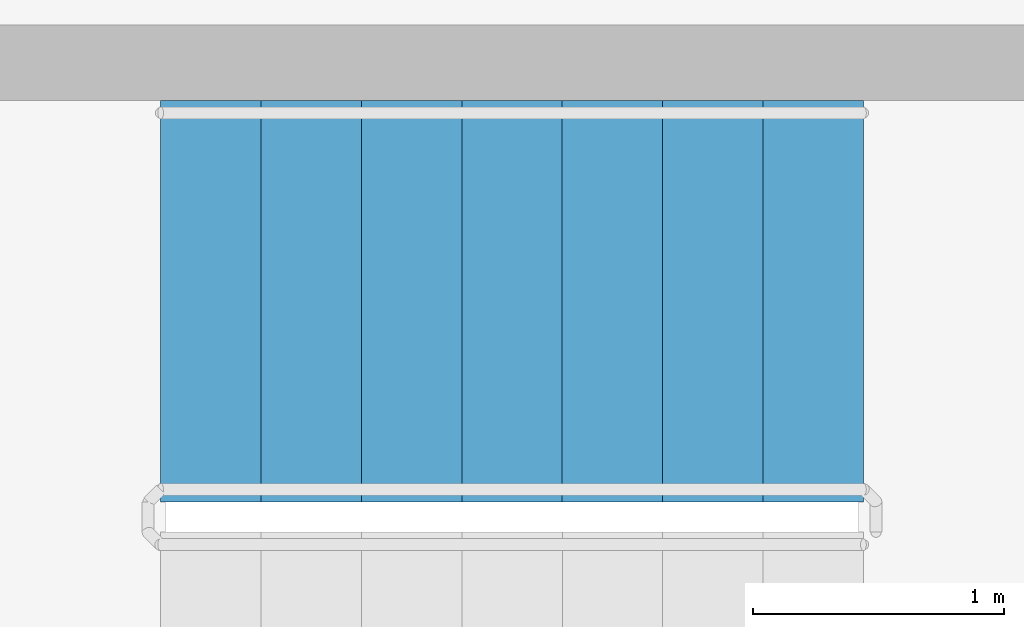
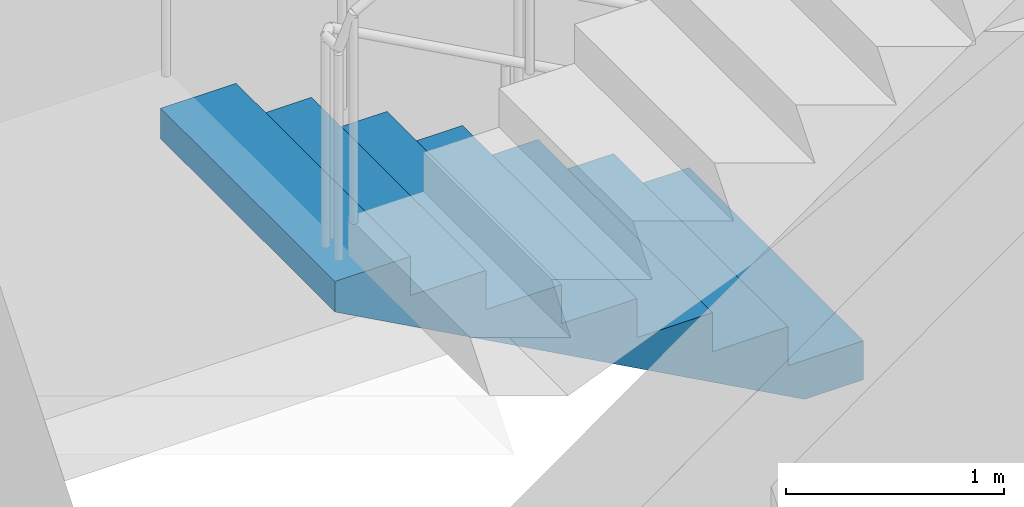
# One storey, part 17 of 18: 1 stair flight, 1 element without a shape of its own.
"""IFC4 building model written with IfcOpenShell, lengths in metres."""

from ifc_helpers import new_model, si_unit, direction, frame, origin, place, context, subcontext, project, spatial, polyline, outline, extrude, material, type_object, element, aggregate, save


model = new_model("IFC4")

# Units and contexts
model_context = context("Model", 3, precision=1e-05, world=origin(), true_north=direction((0.0, 1.0)))
body_context = subcontext(model_context, "Body", "Model", "MODEL_VIEW")
ifc_project = project(units=[si_unit("LENGTHUNIT", "METRE"), si_unit("AREAUNIT", "SQUARE_METRE"), si_unit("VOLUMEUNIT", "CUBIC_METRE"), si_unit("PLANEANGLEUNIT", "RADIAN"), si_unit("MASSUNIT", "GRAM", prefix="KILO")], contexts=[model_context])

# Site, building, storey
site_placement = place(None, origin())
site = spatial("IfcSite", under=ifc_project, at=site_placement, CompositionType="ELEMENT")
building_placement = place(site_placement, origin())
building = spatial("IfcBuilding", under=site, at=building_placement, Name="Spindle Arch Residences", CompositionType="ELEMENT")
storey_placement = place(building_placement, frame((0.0, 0.0, 195.39990234375)))
storey = spatial("IfcBuildingStorey", under=building, at=storey_placement, Name="L49", CompositionType="ELEMENT", Elevation=195.39990234375)

# Stair, stair flight
ifc_material_1 = material(Name="Concrete C50/60", Category="concrete")
stair_type = type_object("IfcStairType", Name="Exit stair 16 risers", PredefinedType="HALF_TURN_STAIR", material=ifc_material_1)
stair_placement = place(storey_placement, origin())
stair = element("IfcStair", 1, at=stair_placement, inside=storey, type_object=stair_type, Name="L49 Exit stair ST1", PredefinedType="HALF_TURN_STAIR")
ifc_material_2 = material(Name="Concrete C50/60", Category="concrete")
stair_flight_type = type_object("IfcStairFlightType", Name="Exit stair flight", PredefinedType="STRAIGHT", material=ifc_material_2)
stair_flight_placement = place(storey_placement, frame((5.14990234375, 7.8701171875, 0.0), z_axis=(0.0, 0.0, 1.0), x_axis=(-1.0, 0.0, 0.0)))
stair_flight = element("IfcStairFlight", 2, at=stair_flight_placement, type_object=stair_flight_type, Name="ST1 flight 1", NumberOfRisers=8, NumberOfTreads=7, PredefinedType="STRAIGHT", RiserHeight=0.21875, TreadLength=0.4, context=body_context, shape_type="SweptSolid", body=[
    extrude(outline(polyline([(0.0, 0.0), (0.0, 0.21875), (0.39990234375, 0.21875), (0.39990234375, 0.4375), (0.800048828125, 0.4375), (0.800048828125, 0.65625), (1.199951171875, 0.65625), (1.199951171875, 0.875), (1.60009765625, 0.875), (1.60009765625, 1.09375), (2.0, 1.09375), (2.0, 1.3125), (2.39990234375, 1.3125), (2.39990234375, 1.53125), (2.800048828125, 1.53125), (2.800048828125, 1.75), (2.800048828125, 1.3603515625), (0.3125, 0.0), (0.0, 0.0)])), frame((0.0, 0.800048828125, 0.0), z_axis=(0.0, -1.0, 0.0), x_axis=(1.0, 0.0, 0.0)), (0.0, 0.0, 1.0), 1.60009765625),
])
aggregate(stair, [stair_flight])

save(model, "model.ifc")
